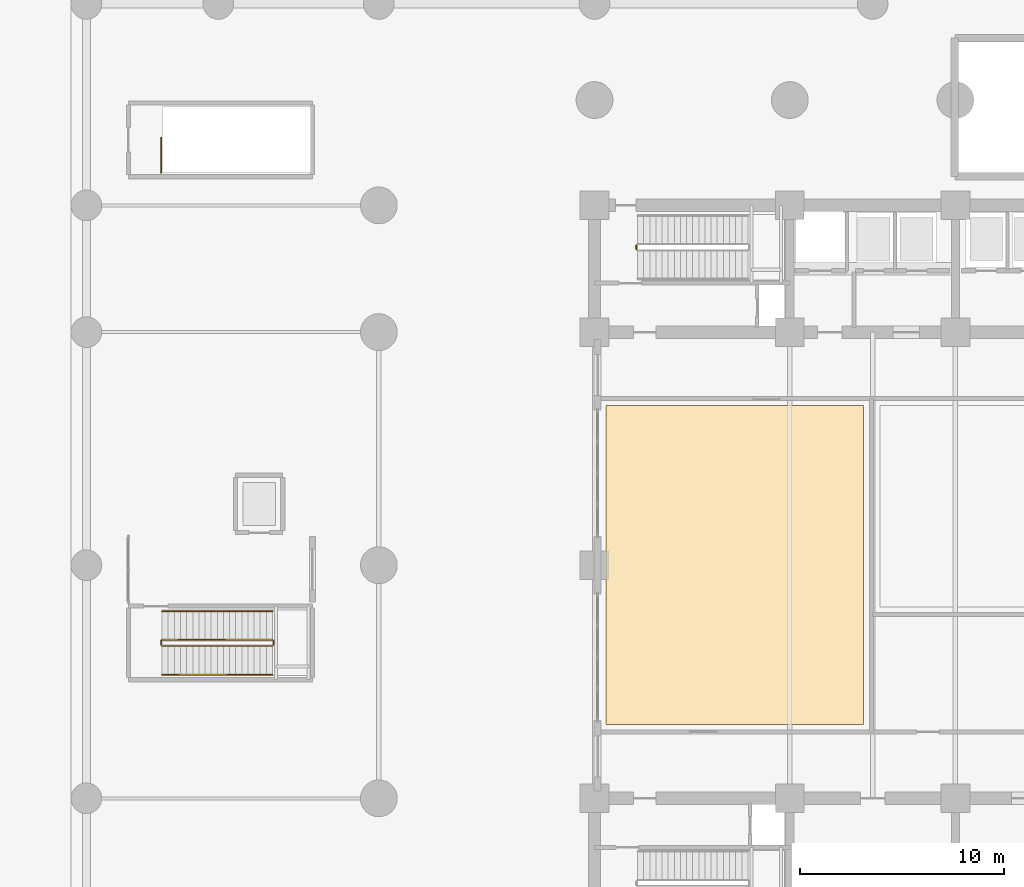
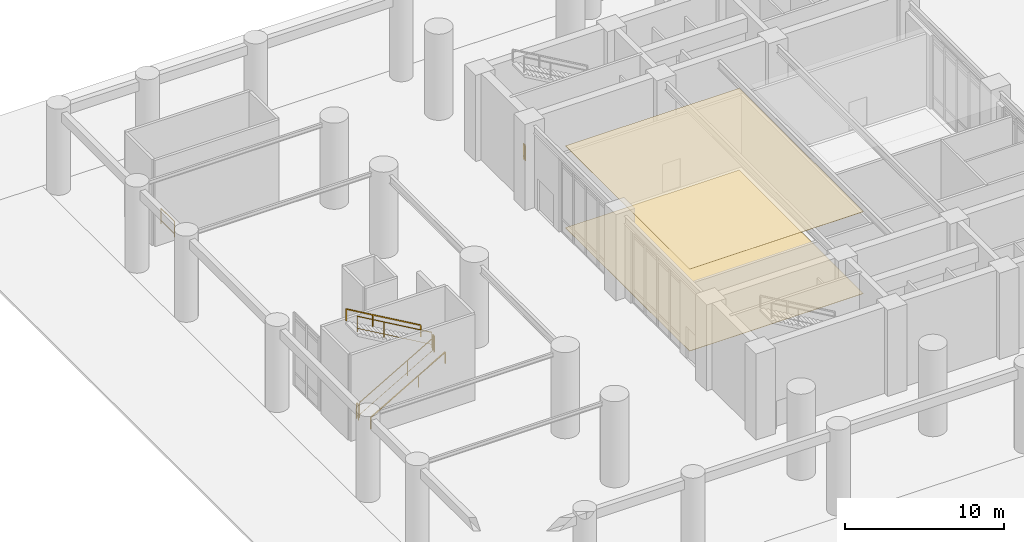
# One storey, part 13 of 16: 8 railings, 2 coverings.
"""IFC4 building model written with IfcOpenShell, lengths in metres."""

from ifc_helpers import new_model, si_unit, direction, frame, origin, origin_2d, place, context, subcontext, project, spatial, polyline, rectangle, outline, extrude, material, layer, layer_set, type_object, element, save


model = new_model("IFC4")

# Units and contexts
model_context = context("Model", 3, precision=1e-05, world=origin(), true_north=direction((0.0, 1.0)))
body_context = subcontext(model_context, "Body", "Model", "MODEL_VIEW")
ifc_project = project(units=[si_unit("LENGTHUNIT", "METRE"), si_unit("AREAUNIT", "SQUARE_METRE"), si_unit("VOLUMEUNIT", "CUBIC_METRE"), si_unit("PLANEANGLEUNIT", "RADIAN"), si_unit("MASSUNIT", "GRAM", prefix="KILO")], contexts=[model_context])

# Site, building, storey
site_placement = place(None, origin())
site = spatial("IfcSite", under=ifc_project, at=site_placement, CompositionType="ELEMENT")
building_placement = place(site_placement, origin())
building = spatial("IfcBuilding", under=site, at=building_placement, Name="Svetorya Sky Lyceum", CompositionType="ELEMENT")
storey_placement = place(building_placement, origin())
storey = spatial("IfcBuildingStorey", under=building, at=storey_placement, Name="L00", CompositionType="ELEMENT", Elevation=0.0)

# Coverings
ifc_material_1 = material(Name="Mineral-fibre classroom acoustic ceiling tile")
ifc_layer_1 = layer(ifc_material_1, 0.02392578125)
ifc_layer_set_1 = layer_set([ifc_layer_1], Name="Mineral-fibre classroom acoustic ceiling tile")
covering_type_1 = type_object("IfcCoveringType", Name="COV-CLG-AC24", PredefinedType="CEILING", material=ifc_layer_set_1)
covering_1_placement = place(storey_placement, frame((0.0, 0.0, 6.27587890625)))
element("IfcCovering", 1, at=covering_1_placement, inside=storey, type_object=covering_type_1, Name="Residential Entrance Foyer Hall Acoustic Ceiling", PredefinedType="CEILING", context=body_context, shape_type="SweptSolid", body=[
    extrude(outline(polyline([(26.14990234375, 20.39990234375), (38.75, 20.39990234375), (38.75, 36.0), (26.14990234375, 36.0), (26.14990234375, 20.39990234375)])), origin(), (0.0, 0.0, 1.0), 0.024169921875),
])
ifc_material_2 = material(Name="Engineered Nordic oak parquet flooring")
ifc_layer_2 = layer(ifc_material_2, 0.02197265625)
ifc_layer_set_2 = layer_set([ifc_layer_2], Name="Engineered Nordic oak parquet flooring")
covering_type_2 = type_object("IfcCoveringType", Name="COV-FLR-OAK", PredefinedType="FLOORING", material=ifc_layer_set_2)
covering_2_placement = place(storey_placement, origin())
element("IfcCovering", 2, at=covering_2_placement, inside=storey, type_object=covering_type_2, Name="Residential Entrance Foyer Hall Architectural Flooring", PredefinedType="FLOORING", context=body_context, shape_type="SweptSolid", body=[
    extrude(outline(polyline([(26.14990234375, 20.39990234375), (38.75, 20.39990234375), (38.75, 36.0), (26.14990234375, 36.0), (26.14990234375, 20.39990234375)])), origin(), (0.0, 0.0, 1.0), 0.02197265625),
])

# Railings
ifc_material_3 = material(Name="Painted galvanized stair well guard")
railing_type_1 = type_object("IfcRailingType", Name="RL-STR-GUARD-1200", PredefinedType="GUARDRAIL", material=ifc_material_3)
railing_1_placement = place(storey_placement, frame((27.64990234375, 43.64990234375, 0.0)))
element("IfcRailing", 3, at=railing_1_placement, inside=storey, type_object=railing_type_1, Name="L00 ST-N stair guard 4", PredefinedType="GUARDRAIL", context=body_context, shape_type="SweptSolid", body=[
    extrude(rectangle(XDim=0.048095703125, YDim=0.048095703125, at=origin_2d()), frame((0.0, 0.0, 1.17578125), z_axis=(0.0, 1.0, 0.0), x_axis=(-1.0, 0.0, 0.0)), (0.0, 0.0, 1.0), 0.2001953125),
    extrude(rectangle(XDim=0.02392578125, YDim=0.02392578125, at=origin_2d()), frame((0.0, 0.0, 0.25), z_axis=(0.0, 1.0, 0.0), x_axis=(-1.0, 0.0, 0.0)), (0.0, 0.0, 1.0), 0.2001953125),
    extrude(rectangle(XDim=0.0419921875, YDim=0.0419921875, at=origin_2d()), origin(), (0.0, 0.0, 1.0), 1.15185546875),
    extrude(rectangle(XDim=0.0419921875, YDim=0.0419921875, at=origin_2d()), frame((0.0, 0.2001953125, 0.0)), (0.0, 0.0, 1.0), 1.15185546875),
])
railing_2_placement = place(storey_placement, frame((4.449951171875, 24.25, 0.173583984375)))
element("IfcRailing", 4, at=railing_2_placement, inside=storey, type_object=railing_type_1, Name="L00 ST-SCH-W stair guard 1", PredefinedType="GUARDRAIL", context=body_context, shape_type="SweptSolid", body=[
    extrude(rectangle(XDim=0.048095703125, YDim=0.048095703125, at=origin_2d()), frame((0.0, 0.0, 1.17578125), z_axis=(0.865421820894, 0.0, 0.501043982023), x_axis=(0.0, 1.0, 0.0)), (0.0, 0.0, 1.0), 6.239990234375),
    extrude(rectangle(XDim=0.02392578125, YDim=0.02392578125, at=origin_2d()), frame((0.0, 0.0, 0.25), z_axis=(0.865421820894, 0.0, 0.501043982023), x_axis=(0.0, 1.0, 0.0)), (0.0, 0.0, 1.0), 6.239990234375),
    extrude(rectangle(XDim=0.0419921875, YDim=0.0419921875, at=origin_2d()), origin(), (0.0, 0.0, 1.0), 1.15185546875),
    extrude(rectangle(XDim=0.0419921875, YDim=0.0419921875, at=origin_2d()), frame((3.461669921875, 0.0, 2.004150390625)), (0.0, 0.0, 1.0), 1.15185546875),
    extrude(rectangle(XDim=0.0419921875, YDim=0.0419921875, at=origin_2d()), frame((5.400146484375, 0.0, 3.12646484375)), (0.0, 0.0, 1.0), 1.15185546875),
])
railing_3_placement = place(storey_placement, frame((9.89990234375, 24.300048828125, 3.300048828125)))
element("IfcRailing", 5, at=railing_3_placement, inside=storey, type_object=railing_type_1, Name="L00 ST-SCH-W stair guard 2", PredefinedType="GUARDRAIL", context=body_context, shape_type="SweptSolid", body=[
    extrude(rectangle(XDim=0.048095703125, YDim=0.048095703125, at=origin_2d()), frame((0.0, 0.0, 1.17578125), z_axis=(0.0, 1.0, 0.0), x_axis=(-1.0, 0.0, 0.0)), (0.0, 0.0, 1.0), 0.199951171875),
    extrude(rectangle(XDim=0.02392578125, YDim=0.02392578125, at=origin_2d()), frame((0.0, 0.0, 0.25), z_axis=(0.0, 1.0, 0.0), x_axis=(-1.0, 0.0, 0.0)), (0.0, 0.0, 1.0), 0.199951171875),
    extrude(rectangle(XDim=0.0419921875, YDim=0.0419921875, at=origin_2d()), origin(), (0.0, 0.0, 1.0), 1.15185546875),
    extrude(rectangle(XDim=0.0419921875, YDim=0.0419921875, at=origin_2d()), frame((0.0, 0.199951171875, 0.0)), (0.0, 0.0, 1.0), 1.15185546875),
])
railing_4_placement = place(storey_placement, frame((9.85009765625, 24.550048828125, 3.4736328125)))
element("IfcRailing", 6, at=railing_4_placement, inside=storey, type_object=railing_type_1, Name="L00 ST-SCH-W stair guard 3", PredefinedType="GUARDRAIL", context=body_context, shape_type="SweptSolid", body=[
    extrude(rectangle(XDim=0.048095703125, YDim=0.048095703125, at=origin_2d()), frame((0.0, 0.0, 1.17578125), z_axis=(-0.865421820894, 0.0, 0.501043982023), x_axis=(0.0, -1.0, 0.0)), (0.0, 0.0, 1.0), 6.239990234375),
    extrude(rectangle(XDim=0.02392578125, YDim=0.02392578125, at=origin_2d()), frame((0.0, 0.0, 0.25), z_axis=(-0.865421820894, 0.0, 0.501043982023), x_axis=(0.0, -1.0, 0.0)), (0.0, 0.0, 1.0), 6.239990234375),
    extrude(rectangle(XDim=0.0419921875, YDim=0.0419921875, at=origin_2d()), origin(), (0.0, 0.0, 1.0), 1.15185546875),
    extrude(rectangle(XDim=0.0419921875, YDim=0.0419921875, at=origin_2d()), frame((-3.461669921875, 0.0, 2.004150390625)), (0.0, 0.0, 1.0), 1.15185546875),
    extrude(rectangle(XDim=0.0419921875, YDim=0.0419921875, at=origin_2d()), frame((-5.400146484375, 0.0, 3.12646484375)), (0.0, 0.0, 1.0), 1.15185546875),
])
railing_5_placement = place(storey_placement, frame((4.39990234375, 24.300048828125, 0.0)))
element("IfcRailing", 7, at=railing_5_placement, inside=storey, type_object=railing_type_1, Name="L00 ST-SCH-W stair guard 4", PredefinedType="GUARDRAIL", context=body_context, shape_type="SweptSolid", body=[
    extrude(rectangle(XDim=0.048095703125, YDim=0.048095703125, at=origin_2d()), frame((0.0, 0.0, 1.17578125), z_axis=(0.0, 1.0, 0.0), x_axis=(-1.0, 0.0, 0.0)), (0.0, 0.0, 1.0), 0.199951171875),
    extrude(rectangle(XDim=0.02392578125, YDim=0.02392578125, at=origin_2d()), frame((0.0, 0.0, 0.25), z_axis=(0.0, 1.0, 0.0), x_axis=(-1.0, 0.0, 0.0)), (0.0, 0.0, 1.0), 0.199951171875),
    extrude(rectangle(XDim=0.0419921875, YDim=0.0419921875, at=origin_2d()), origin(), (0.0, 0.0, 1.0), 1.15185546875),
    extrude(rectangle(XDim=0.0419921875, YDim=0.0419921875, at=origin_2d()), frame((0.0, 0.199951171875, 0.0)), (0.0, 0.0, 1.0), 1.15185546875),
])
railing_6_placement = place(storey_placement, frame((4.39990234375, 47.39990234375, 0.0)))
element("IfcRailing", 8, at=railing_6_placement, inside=storey, type_object=railing_type_1, Name="L00 ST-B1 top well guard 1", PredefinedType="GUARDRAIL", context=body_context, shape_type="SweptSolid", body=[
    extrude(rectangle(XDim=0.048095703125, YDim=0.048095703125, at=origin_2d()), frame((0.0, 0.0, 1.17578125), z_axis=(0.0, 1.0, 0.0), x_axis=(-1.0, 0.0, 0.0)), (0.0, 0.0, 1.0), 1.7001953125),
    extrude(rectangle(XDim=0.02392578125, YDim=0.02392578125, at=origin_2d()), frame((0.0, 0.0, 0.25), z_axis=(0.0, 1.0, 0.0), x_axis=(-1.0, 0.0, 0.0)), (0.0, 0.0, 1.0), 1.7001953125),
    extrude(rectangle(XDim=0.0419921875, YDim=0.0419921875, at=origin_2d()), origin(), (0.0, 0.0, 1.0), 1.15185546875),
    extrude(rectangle(XDim=0.0419921875, YDim=0.0419921875, at=origin_2d()), frame((0.0, 1.7001953125, 0.0)), (0.0, 0.0, 1.0), 1.15185546875),
])
ifc_material_4 = material(Name="Brushed stainless AISI 304 stair handrail")
railing_type_2 = type_object("IfcRailingType", Name="RL-STR-HAND-920", PredefinedType="HANDRAIL", material=ifc_material_4)
railing_7_placement = place(storey_placement, frame((4.449951171875, 22.85009765625, 0.173583984375)))
element("IfcRailing", 9, at=railing_7_placement, inside=storey, type_object=railing_type_2, Name="L00 ST-SCH-W stair handrail 1", PredefinedType="HANDRAIL", context=body_context, shape_type="SweptSolid", body=[
    extrude(rectangle(XDim=0.048095703125, YDim=0.048095703125, at=origin_2d()), frame((0.0, 0.0, 0.8759765625), z_axis=(0.865421820894, 0.0, 0.501043982023), x_axis=(0.0, 1.0, 0.0)), (0.0, 0.0, 1.0), 6.239990234375),
    extrude(rectangle(XDim=0.0419921875, YDim=0.0419921875, at=origin_2d()), origin(), (0.0, 0.0, 1.0), 0.851806640625),
    extrude(rectangle(XDim=0.0419921875, YDim=0.0419921875, at=origin_2d()), frame((3.461669921875, 0.0, 2.004150390625)), (0.0, 0.0, 1.0), 0.851806640625),
    extrude(rectangle(XDim=0.0419921875, YDim=0.0419921875, at=origin_2d()), frame((5.400146484375, 0.0, 3.12646484375)), (0.0, 0.0, 1.0), 0.851806640625),
])
railing_8_placement = place(storey_placement, frame((9.85009765625, 25.949951171875, 3.4736328125)))
element("IfcRailing", 10, at=railing_8_placement, inside=storey, type_object=railing_type_2, Name="L00 ST-SCH-W stair handrail 2", PredefinedType="HANDRAIL", context=body_context, shape_type="SweptSolid", body=[
    extrude(rectangle(XDim=0.048095703125, YDim=0.048095703125, at=origin_2d()), frame((0.0, 0.0, 0.8759765625), z_axis=(-0.865421820894, 0.0, 0.501043982023), x_axis=(0.0, -1.0, 0.0)), (0.0, 0.0, 1.0), 6.239990234375),
    extrude(rectangle(XDim=0.0419921875, YDim=0.0419921875, at=origin_2d()), origin(), (0.0, 0.0, 1.0), 0.851806640625),
    extrude(rectangle(XDim=0.0419921875, YDim=0.0419921875, at=origin_2d()), frame((-3.461669921875, 0.0, 2.004150390625)), (0.0, 0.0, 1.0), 0.851806640625),
    extrude(rectangle(XDim=0.0419921875, YDim=0.0419921875, at=origin_2d()), frame((-5.400146484375, 0.0, 3.12646484375)), (0.0, 0.0, 1.0), 0.851806640625),
])

save(model, "model.ifc")
